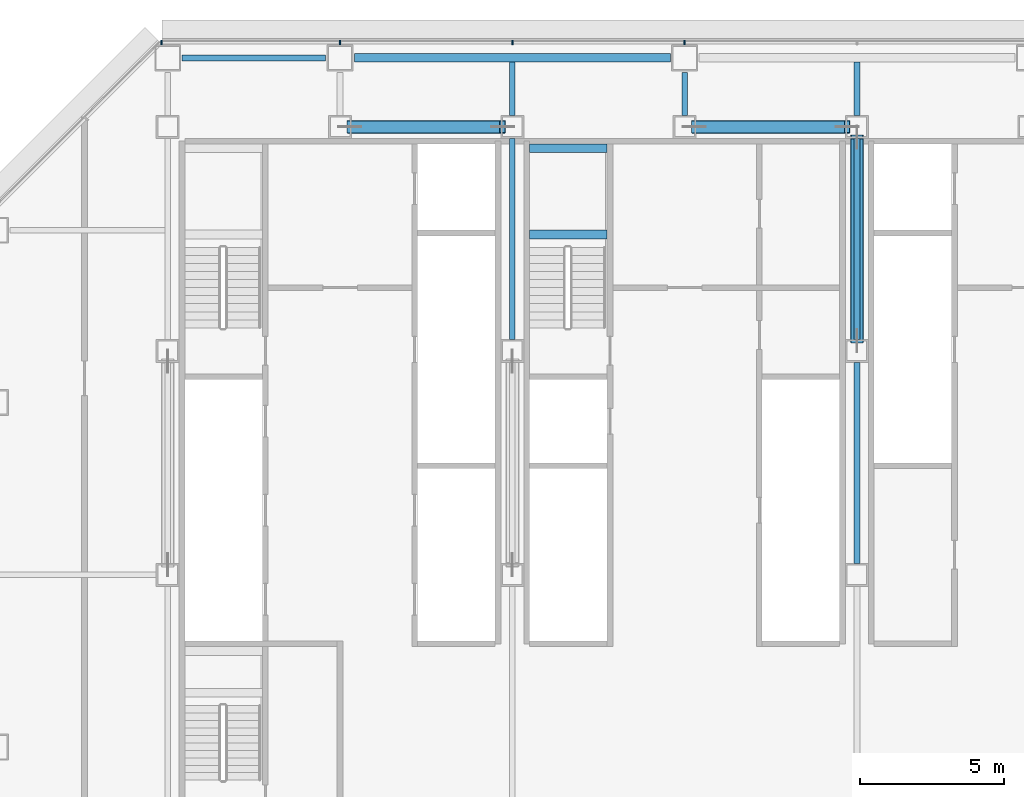
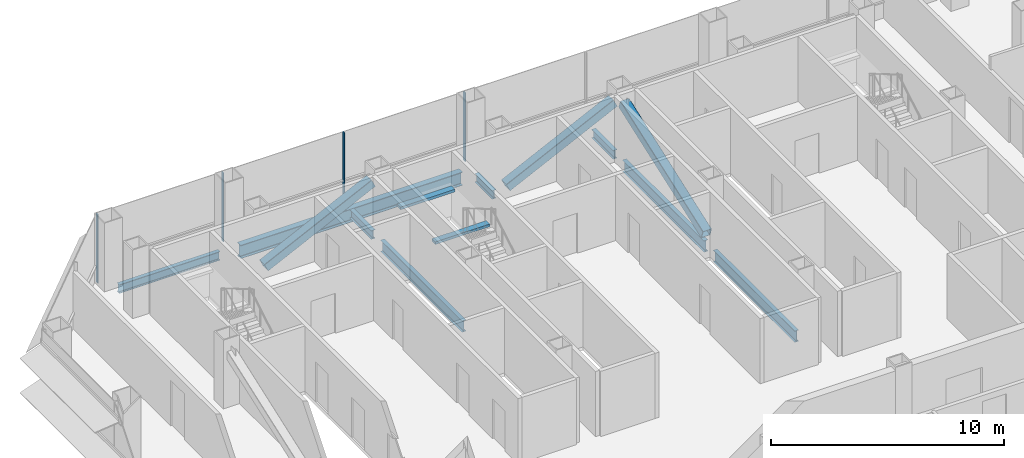
# One storey, part 12 of 27: 10 beams, 7 members, 1 element without a shape of its own.
"""IFC4 building model written with IfcOpenShell, lengths in metres."""

from ifc_helpers import new_model, si_unit, direction, frame, origin, origin_2d, place, context, subcontext, project, spatial, rectangle, hollow_rectangle, i_section, extrude, material, material_profile, profile_set, type_object, element, aggregate, save


model = new_model("IFC4")

# Units and contexts
model_context = context("Model", 3, precision=1e-05, world=origin(), true_north=direction((0.0, 1.0)))
body_context = subcontext(model_context, "Body", "Model", "MODEL_VIEW")
ifc_project = project(units=[si_unit("LENGTHUNIT", "METRE"), si_unit("AREAUNIT", "SQUARE_METRE"), si_unit("VOLUMEUNIT", "CUBIC_METRE"), si_unit("PLANEANGLEUNIT", "RADIAN"), si_unit("MASSUNIT", "GRAM", prefix="KILO")], contexts=[model_context])

# Site, building, storey
site_placement = place(None, origin())
site = spatial("IfcSite", under=ifc_project, at=site_placement, CompositionType="ELEMENT")
building_placement = place(site_placement, origin())
building = spatial("IfcBuilding", under=site, at=building_placement, Name="Sorahane Residences", CompositionType="ELEMENT")
storey_placement = place(building_placement, frame((0.0, 0.0, 49.800048828125)))
storey = spatial("IfcBuildingStorey", under=building, at=storey_placement, Name="L08", CompositionType="ELEMENT", Elevation=49.800048828125)

# Members
ifc_material_1 = material(Name="Steel Q355B", Category="steel")
ifc_material_profile_1 = material_profile(ifc_material_1, hollow_rectangle(XDim=0.449951171875, YDim=0.449951171875, WallThickness=0.02197265625, InnerFilletRadius=0.010986328125, OuterFilletRadius=0.032958984375, at=origin_2d()), Name="RHS 450x450x22")
ifc_profile_set_1 = profile_set([ifc_material_profile_1], Name="Steel Q355B")
member_type_1 = type_object("IfcMemberType", Name="Core brace RHS 450x450x22 Q355B", PredefinedType="BRACE", material=ifc_profile_set_1)
for number, where, z_axis, x_axis, name in (
    (1, (12.341064453125, 45.60009765625, 0.196533203125), (0.899910905173, 0.0, 0.436073804247), (0.0, 1.0, 0.0), "Core brace L08 y45.6-2"),
    (2, (24.341064453125, 45.60009765625, 0.196533203125), (0.899910905173, 0.0, 0.436073804247), (0.0, 1.0, 0.0), "Core brace L08 y45.6-4"),
):
    element("IfcMember", number, at=place(storey_placement, frame(where, z_axis=z_axis, x_axis=x_axis)), inside=storey, type_object=member_type_1, Name=name, PredefinedType="BRACE", context=body_context, shape_type="SweptSolid", body=[
        extrude(hollow_rectangle(XDim=0.449951171875, YDim=0.449951171875, WallThickness=0.02197265625, InnerFilletRadius=0.010986328125, OuterFilletRadius=0.032958984375, at=origin_2d()), origin(), (0.0, 0.0, 1.0), 5.909423828125),
    ])
member_1_placement = place(storey_placement, frame((30.0, 38.154296875, 0.20849609375), z_axis=(0.0, 0.940882869443, 0.338732085856), x_axis=(-1.0, 0.0, 0.0)))
element("IfcMember", 3, at=member_1_placement, inside=storey, type_object=member_type_1, Name="Core brace L08 x30-2", PredefinedType="BRACE", context=body_context, shape_type="SweptSolid", body=[
    extrude(hollow_rectangle(XDim=0.449951171875, YDim=0.449951171875, WallThickness=0.02197265625, InnerFilletRadius=0.010986328125, OuterFilletRadius=0.032958984375, at=origin_2d()), origin(), (0.0, 0.0, 1.0), 7.536865234375),
])

# Curtain wall, members
ifc_material_2 = material(Name="Dark low-e glass and black anodised aluminium", Category="aluminium")
curtain_wall_type = type_object("IfcCurtainWallType", Name="Curtain wall CW-1 Typical unitised wall", PredefinedType="NOTDEFINED", material=ifc_material_2)
curtain_wall_placement = place(storey_placement, origin())
curtain_wall = element("IfcCurtainWall", 4, at=curtain_wall_placement, inside=storey, type_object=curtain_wall_type, Name="CW-1 curtain wall L08 N1", PredefinedType="NOTDEFINED")
ifc_material_3 = material(Name="Black anodised aluminium", Category="aluminium")
ifc_material_profile_2 = material_profile(ifc_material_3, rectangle(XDim=0.159912109375, YDim=0.050048828125, at=origin_2d()), Name="Curtain wall mullion CW-1 black anodised aluminium 50x160")
ifc_profile_set_2 = profile_set([ifc_material_profile_2], Name="Black anodised aluminium")
member_type_2 = type_object("IfcMemberType", Name="Curtain wall mullion CW-1 black anodised aluminium 50x160", PredefinedType="MULLION", material=ifc_profile_set_2)
member_2_placement = place(storey_placement, frame((24.0, 48.5400390625, -0.179931640625), z_axis=(0.0, 0.0, 1.0), x_axis=(0.0, 1.0, 0.0)))
member_2 = element("IfcMember", 5, at=member_2_placement, type_object=member_type_2, Name="CW-1 mullion L08 N1.7", PredefinedType="MULLION", context=body_context, shape_type="SweptSolid", body=[
    extrude(rectangle(XDim=0.159912109375, YDim=0.050048828125, at=origin_2d()), origin(), (0.0, 0.0, 1.0), 3.599853515625),
])
member_3_placement = place(storey_placement, frame((18.0, 48.5400390625, -0.179931640625), z_axis=(0.0, 0.0, 1.0), x_axis=(0.0, 1.0, 0.0)))
member_3 = element("IfcMember", 6, at=member_3_placement, type_object=member_type_2, Name="CW-1 mullion L08 N1.8", PredefinedType="MULLION", context=body_context, shape_type="SweptSolid", body=[
    extrude(rectangle(XDim=0.159912109375, YDim=0.050048828125, at=origin_2d()), origin(), (0.0, 0.0, 1.0), 3.599853515625),
])
member_4_placement = place(storey_placement, frame((12.0, 48.5400390625, -0.179931640625), z_axis=(0.0, 0.0, 1.0), x_axis=(0.0, 1.0, 0.0)))
member_4 = element("IfcMember", 7, at=member_4_placement, type_object=member_type_2, Name="CW-1 mullion L08 N1.9", PredefinedType="MULLION", context=body_context, shape_type="SweptSolid", body=[
    extrude(rectangle(XDim=0.159912109375, YDim=0.050048828125, at=origin_2d()), origin(), (0.0, 0.0, 1.0), 3.599853515625),
])
member_5_placement = place(storey_placement, frame((5.7763671875, 48.5400390625, -0.179931640625), z_axis=(0.0, 0.0, 1.0), x_axis=(0.0, 1.0, 0.0)))
member_5 = element("IfcMember", 8, at=member_5_placement, type_object=member_type_2, Name="CW-1 mullion L08 N1.10", PredefinedType="MULLION", context=body_context, shape_type="SweptSolid", body=[
    extrude(rectangle(XDim=0.159912109375, YDim=0.050048828125, at=origin_2d()), origin(), (0.0, 0.0, 1.0), 3.599853515625),
])
aggregate(curtain_wall, [member_2, member_3, member_4, member_5])

# Beams
ifc_material_4 = material(Name="Concrete C40", Category="concrete")
ifc_material_profile_3 = material_profile(ifc_material_4, rectangle(XDim=0.300048828125, YDim=0.139892578125, at=origin_2d()), Name="300x140")
ifc_profile_set_3 = profile_set([ifc_material_profile_3], Name="Concrete C40")
beam_type_1 = type_object("IfcBeamType", Name="RC landing beam 300 x 140 Concrete C40", PredefinedType="BEAM", material=ifc_profile_set_3)
for number, where, z_axis, x_axis, name in (
    (9, (18.60009765625, 41.85009765625, 1.530029296875), (1.0, 0.0, 0.0), (0.0, 1.0, 0.0), "Landing beam"),
    (10, (18.60009765625, 44.85009765625, 1.530029296875), (1.0, 0.0, 0.0), (0.0, 1.0, 0.0), "Landing beam"),
):
    element("IfcBeam", number, at=place(storey_placement, frame(where, z_axis=z_axis, x_axis=x_axis)), inside=storey, type_object=beam_type_1, Name=name, PredefinedType="BEAM", context=body_context, shape_type="SweptSolid", body=[
        extrude(rectangle(XDim=0.300048828125, YDim=0.139892578125, at=origin_2d()), origin(), (0.0, 0.0, 1.0), 2.699951171875),
    ])
ifc_material_5 = material(Name="Steel Q355B", Category="steel")
ifc_material_profile_4 = material_profile(ifc_material_5, i_section(OverallWidth=0.199951171875, OverallDepth=0.449951171875, WebThickness=0.009033203125, FlangeThickness=0.013916015625, FilletRadius=0.02001953125, at=origin_2d()), Name="HN 450x200x9x14")
ifc_profile_set_4 = profile_set([ifc_material_profile_4], Name="Steel Q355B")
beam_type_2 = type_object("IfcBeamType", Name="Steel floor beam HN 450x200x9x14 Q355B", PredefinedType="BEAM", material=ifc_profile_set_4)
beam_1_placement = place(storey_placement, frame((6.5, 48.0, -0.405029296875), z_axis=(1.0, 0.0, 0.0), x_axis=(0.0, 1.0, 0.0)))
element("IfcBeam", 11, at=beam_1_placement, inside=storey, type_object=beam_type_2, Name="Beam L08 012", PredefinedType="BEAM", context=body_context, shape_type="SweptSolid", body=[
    extrude(i_section(OverallWidth=0.199951171875, OverallDepth=0.449951171875, WebThickness=0.009033203125, FlangeThickness=0.013916015625, FilletRadius=0.02001953125, at=origin_2d()), origin(), (0.0, 0.0, 1.0), 5.0),
])
beam_2_placement = place(storey_placement, frame((18.0, 46.0, -0.405029296875), z_axis=(0.0, 1.0, 0.0), x_axis=(-1.0, 0.0, 0.0)))
element("IfcBeam", 12, at=beam_2_placement, inside=storey, type_object=beam_type_2, Name="Beam L08 034", PredefinedType="BEAM", context=body_context, shape_type="SweptSolid", body=[
    extrude(i_section(OverallWidth=0.199951171875, OverallDepth=0.449951171875, WebThickness=0.009033203125, FlangeThickness=0.013916015625, FilletRadius=0.02001953125, at=origin_2d()), origin(), (0.0, 0.0, 1.0), 1.85009765625),
])
beam_3_placement = place(storey_placement, frame((24.0, 46.0, -0.405029296875), z_axis=(0.0, 1.0, 0.0), x_axis=(-1.0, 0.0, 0.0)))
element("IfcBeam", 13, at=beam_3_placement, inside=storey, type_object=beam_type_2, Name="Beam L08 036", PredefinedType="BEAM", context=body_context, shape_type="SweptSolid", body=[
    extrude(i_section(OverallWidth=0.199951171875, OverallDepth=0.449951171875, WebThickness=0.009033203125, FlangeThickness=0.013916015625, FilletRadius=0.02001953125, at=origin_2d()), origin(), (0.0, 0.0, 1.0), 1.5),
])
beam_4_placement = place(storey_placement, frame((30.0, 46.0, -0.405029296875), z_axis=(0.0, 1.0, 0.0), x_axis=(-1.0, 0.0, 0.0)))
element("IfcBeam", 14, at=beam_4_placement, inside=storey, type_object=beam_type_2, Name="Beam L08 042", PredefinedType="BEAM", context=body_context, shape_type="SweptSolid", body=[
    extrude(i_section(OverallWidth=0.199951171875, OverallDepth=0.449951171875, WebThickness=0.009033203125, FlangeThickness=0.013916015625, FilletRadius=0.02001953125, at=origin_2d()), origin(), (0.0, 0.0, 1.0), 1.85009765625),
])
ifc_material_6 = material(Name="Steel Q355B", Category="steel")
ifc_material_profile_5 = material_profile(ifc_material_6, i_section(OverallWidth=0.199951171875, OverallDepth=0.60009765625, WebThickness=0.010986328125, FlangeThickness=0.01708984375, FilletRadius=0.02392578125, at=origin_2d()), Name="HN 600x200x11x17")
ifc_profile_set_5 = profile_set([ifc_material_profile_5], Name="Steel Q355B")
beam_type_3 = type_object("IfcBeamType", Name="Steel floor beam HN 600x200x11x17 Q355B", PredefinedType="BEAM", material=ifc_profile_set_5)
for number, where, z_axis, x_axis, name in (
    (15, (18.0, 38.199951171875, -0.47998046875), (0.0, 1.0, 0.0), (-1.0, 0.0, 0.0), "Beam L08 033"),
    (16, (30.0, 30.39990234375, -0.47998046875), (0.0, 1.0, 0.0), (-1.0, 0.0, 0.0), "Beam L08 040"),
    (17, (30.0, 38.199951171875, -0.47998046875), (0.0, 1.0, 0.0), (-1.0, 0.0, 0.0), "Beam L08 041"),
):
    element("IfcBeam", number, at=place(storey_placement, frame(where, z_axis=z_axis, x_axis=x_axis)), inside=storey, type_object=beam_type_3, Name=name, PredefinedType="BEAM", context=body_context, shape_type="SweptSolid", body=[
        extrude(i_section(OverallWidth=0.199951171875, OverallDepth=0.60009765625, WebThickness=0.010986328125, FlangeThickness=0.01708984375, FilletRadius=0.02392578125, at=origin_2d()), origin(), (0.0, 0.0, 1.0), 7.0),
    ])
ifc_material_7 = material(Name="Steel Q355B", Category="steel")
ifc_material_profile_6 = material_profile(ifc_material_7, i_section(OverallWidth=0.300048828125, OverallDepth=0.699951171875, WebThickness=0.012939453125, FlangeThickness=0.02392578125, FilletRadius=0.028076171875, at=origin_2d()), Name="HN 700x300x13x24")
ifc_profile_set_6 = profile_set([ifc_material_profile_6], Name="Steel Q355B")
beam_type_4 = type_object("IfcBeamType", Name="Steel floor beam HN 700x300x13x24 Q355B", PredefinedType="BEAM", material=ifc_profile_set_6)
beam_5_placement = place(storey_placement, frame((12.5, 48.0, -0.530029296875), z_axis=(1.0, 0.0, 0.0), x_axis=(0.0, 1.0, 0.0)))
element("IfcBeam", 18, at=beam_5_placement, inside=storey, type_object=beam_type_4, Name="Beam L08 013", PredefinedType="BEAM", context=body_context, shape_type="SweptSolid", body=[
    extrude(i_section(OverallWidth=0.300048828125, OverallDepth=0.699951171875, WebThickness=0.012939453125, FlangeThickness=0.02392578125, FilletRadius=0.028076171875, at=origin_2d()), origin(), (0.0, 0.0, 1.0), 11.0),
])

save(model, "model.ifc")
